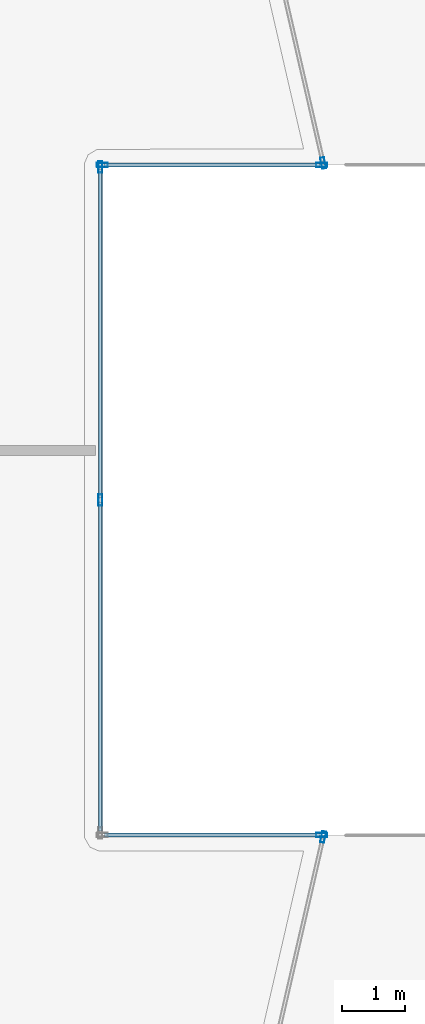
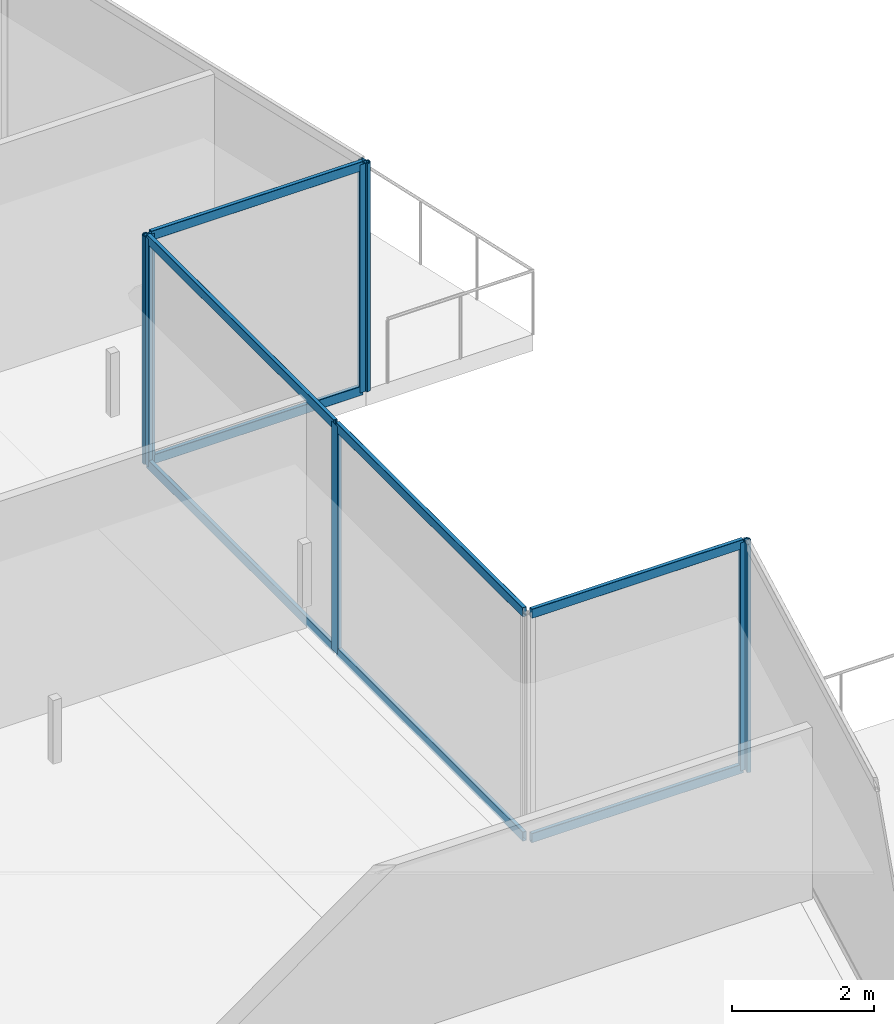
# One storey, part 24 of 44: 15 members, 5 elements without a shape of their own.
"""IFC4 building model written with IfcOpenShell, lengths in metres."""

from ifc_helpers import new_model, si_unit, direction, frame, origin, origin_2d, place, context, subcontext, project, spatial, hollow_rectangle, extrude, material, layer, layer_set, material_profile, profile_set, type_object, element, aggregate, save


model = new_model("IFC4")

# Units and contexts
model_context = context("Model", 3, precision=1e-05, world=origin(), true_north=direction((0.0, 1.0)))
body_context = subcontext(model_context, "Body", "Model", "MODEL_VIEW")
ifc_project = project(units=[si_unit("LENGTHUNIT", "METRE"), si_unit("AREAUNIT", "SQUARE_METRE"), si_unit("VOLUMEUNIT", "CUBIC_METRE"), si_unit("PLANEANGLEUNIT", "RADIAN"), si_unit("MASSUNIT", "GRAM", prefix="KILO")], contexts=[model_context])

# Site, building, storey
site_placement = place(None, origin())
site = spatial("IfcSite", under=ifc_project, at=site_placement, CompositionType="ELEMENT")
building_placement = place(site_placement, origin())
building = spatial("IfcBuilding", under=site, at=building_placement, Name="Qorvath Tower", CompositionType="ELEMENT")
storey_placement = place(building_placement, frame((0.0, 0.0, 40.800048828125)))
storey = spatial("IfcBuildingStorey", under=building, at=storey_placement, Name="L08", CompositionType="ELEMENT", Elevation=40.800048828125)

# Curtain wall, member
ifc_material_1 = material(Name="Anodised aluminium and triple low-E glass", Category="aluminium")
ifc_layer = layer(ifc_material_1, 0.179931640625)
ifc_layer_set = layer_set([ifc_layer], Name="CW-SYS-2")
curtain_wall_type = type_object("IfcCurtainWallType", Name="CW-SYS-2", PredefinedType="NOTDEFINED", material=ifc_layer_set)
curtain_wall_1_placement = place(storey_placement, origin())
curtain_wall_1 = element("IfcCurtainWall", 1, at=curtain_wall_1_placement, inside=storey, type_object=curtain_wall_type, Name="Curtain Wall CW-2 CW-T-L08-7.1", PredefinedType="NOTDEFINED")
ifc_material_2 = material(Name="Anodised aluminium 6063-T6", Category="aluminium")
ifc_material_profile_1 = material_profile(ifc_material_2, hollow_rectangle(XDim=0.06494140625, YDim=0.179931640625, WallThickness=0.00341796875, InnerFilletRadius=0.00341796875, OuterFilletRadius=0.007080078125, at=origin_2d()), Name="CWM 180x65")
ifc_profile_set_1 = profile_set([ifc_material_profile_1], Name="Anodised aluminium 6063-T6")
member_type_1 = type_object("IfcMemberType", Name="CWM-180", PredefinedType="MULLION", material=ifc_profile_set_1)
member_1_placement = place(storey_placement, frame((7.306884765625, -5.388427734375, 0.0), z_axis=(0.0, 0.0, 1.0), x_axis=(-0.974466004857, 0.224535087188, 0.0)))
member_1 = element("IfcMember", 2, at=member_1_placement, type_object=member_type_1, Name="CW-2 mullion 2", PredefinedType="MULLION", context=body_context, shape_type="SweptSolid", body=[
    extrude(hollow_rectangle(XDim=0.06494140625, YDim=0.179931640625, WallThickness=0.00341796875, InnerFilletRadius=0.00341796875, OuterFilletRadius=0.007080078125, at=origin_2d()), origin(), (0.0, 0.0, 1.0), 3.919921875),
])
aggregate(curtain_wall_1, [member_1])

curtain_wall_2_placement = place(storey_placement, origin())
curtain_wall_2 = element("IfcCurtainWall", 3, at=curtain_wall_2_placement, inside=storey, type_object=curtain_wall_type, Name="Curtain Wall CW-2 CW-T-L08-8.1", PredefinedType="NOTDEFINED")
member_2_placement = place(storey_placement, frame((7.28173828125, -5.356689453125, 0.0), z_axis=(0.0, 0.0, 1.0), x_axis=(0.0, -1.0, 0.0)))
member_2 = element("IfcMember", 4, at=member_2_placement, type_object=member_type_1, Name="CW-2 mullion 1", PredefinedType="MULLION", context=body_context, shape_type="SweptSolid", body=[
    extrude(hollow_rectangle(XDim=0.06494140625, YDim=0.179931640625, WallThickness=0.00341796875, InnerFilletRadius=0.00341796875, OuterFilletRadius=0.007080078125, at=origin_2d()), origin(), (0.0, 0.0, 1.0), 3.919921875),
])

# Curtain wall, members
curtain_wall_3_placement = place(storey_placement, origin())
curtain_wall_3 = element("IfcCurtainWall", 5, at=curtain_wall_3_placement, inside=storey, type_object=curtain_wall_type, Name="Curtain Wall CW-2 CW-T-L08-9.1", PredefinedType="NOTDEFINED")
member_3_placement = place(storey_placement, frame((3.742919921875, 0.0, 0.0), z_axis=(0.0, 0.0, 1.0), x_axis=(-1.0, 0.0, 0.0)))
member_3 = element("IfcMember", 6, at=member_3_placement, type_object=member_type_1, Name="CW-2 mullion 2", PredefinedType="MULLION", context=body_context, shape_type="SweptSolid", body=[
    extrude(hollow_rectangle(XDim=0.06494140625, YDim=0.179931640625, WallThickness=0.00341796875, InnerFilletRadius=0.00341796875, OuterFilletRadius=0.007080078125, at=origin_2d()), origin(), (0.0, 0.0, 1.0), 3.919921875),
])
member_4_placement = place(storey_placement, frame((3.742919921875, 5.32421875, 0.0), z_axis=(0.0, 0.0, 1.0), x_axis=(-1.0, 0.0, 0.0)))
member_4 = element("IfcMember", 7, at=member_4_placement, type_object=member_type_1, Name="CW-2 mullion 3", PredefinedType="MULLION", context=body_context, shape_type="SweptSolid", body=[
    extrude(hollow_rectangle(XDim=0.06494140625, YDim=0.179931640625, WallThickness=0.00341796875, InnerFilletRadius=0.00341796875, OuterFilletRadius=0.007080078125, at=origin_2d()), origin(), (0.0, 0.0, 1.0), 3.919921875),
])

curtain_wall_4_placement = place(storey_placement, origin())
curtain_wall_4 = element("IfcCurtainWall", 8, at=curtain_wall_4_placement, inside=storey, type_object=curtain_wall_type, Name="Curtain Wall CW-2 CW-T-L08-10.1", PredefinedType="NOTDEFINED")
member_5_placement = place(storey_placement, frame((3.775390625, 5.356689453125, 0.0), z_axis=(0.0, 0.0, 1.0), x_axis=(0.0, 1.0, 0.0)))
member_5 = element("IfcMember", 9, at=member_5_placement, type_object=member_type_1, Name="CW-2 mullion 1", PredefinedType="MULLION", context=body_context, shape_type="SweptSolid", body=[
    extrude(hollow_rectangle(XDim=0.06494140625, YDim=0.179931640625, WallThickness=0.00341796875, InnerFilletRadius=0.00341796875, OuterFilletRadius=0.007080078125, at=origin_2d()), origin(), (0.0, 0.0, 1.0), 3.919921875),
])
member_6_placement = place(storey_placement, frame((7.28173828125, 5.356689453125, 0.0), z_axis=(0.0, 0.0, 1.0), x_axis=(0.0, 1.0, 0.0)))
member_6 = element("IfcMember", 10, at=member_6_placement, type_object=member_type_1, Name="CW-2 mullion 2", PredefinedType="MULLION", context=body_context, shape_type="SweptSolid", body=[
    extrude(hollow_rectangle(XDim=0.06494140625, YDim=0.179931640625, WallThickness=0.00341796875, InnerFilletRadius=0.00341796875, OuterFilletRadius=0.007080078125, at=origin_2d()), origin(), (0.0, 0.0, 1.0), 3.919921875),
])

# Curtain wall, member
curtain_wall_5_placement = place(storey_placement, origin())
curtain_wall_5 = element("IfcCurtainWall", 11, at=curtain_wall_5_placement, inside=storey, type_object=curtain_wall_type, Name="Curtain Wall CW-2 CW-T-L08-11.1", PredefinedType="NOTDEFINED")
member_7_placement = place(storey_placement, frame((7.306884765625, 5.388427734375, 0.0), z_axis=(0.0, 0.0, 1.0), x_axis=(-0.974466004857, -0.224535087188, 0.0)))
member_7 = element("IfcMember", 12, at=member_7_placement, type_object=member_type_1, Name="CW-2 mullion 1", PredefinedType="MULLION", context=body_context, shape_type="SweptSolid", body=[
    extrude(hollow_rectangle(XDim=0.06494140625, YDim=0.179931640625, WallThickness=0.00341796875, InnerFilletRadius=0.00341796875, OuterFilletRadius=0.007080078125, at=origin_2d()), origin(), (0.0, 0.0, 1.0), 3.919921875),
])
aggregate(curtain_wall_5, [member_7])

# Member
ifc_material_3 = material(Name="Anodised aluminium 6063-T6", Category="aluminium")
ifc_material_profile_2 = material_profile(ifc_material_3, hollow_rectangle(XDim=0.06494140625, YDim=0.159912109375, WallThickness=0.00341796875, InnerFilletRadius=0.00341796875, OuterFilletRadius=0.007080078125, at=origin_2d()), Name="CWT 160x65")
ifc_profile_set_2 = profile_set([ifc_material_profile_2], Name="Anodised aluminium 6063-T6")
member_type_2 = type_object("IfcMemberType", Name="CWT-160", PredefinedType="USERDEFINED", material=ifc_profile_set_2)
member_8_placement = place(storey_placement, frame((7.249267578125, -5.356689453125, 0.032470703125), z_axis=(-1.0, 0.0, 0.0), x_axis=(0.0, -1.0, 0.0)))
member_8 = element("IfcMember", 13, at=member_8_placement, type_object=member_type_2, Name="CW-2 transom 1.1", ObjectType="TRANSOM", PredefinedType="USERDEFINED", context=body_context, shape_type="SweptSolid", body=[
    extrude(hollow_rectangle(XDim=0.06494140625, YDim=0.159912109375, WallThickness=0.00341796875, InnerFilletRadius=0.00341796875, OuterFilletRadius=0.007080078125, at=origin_2d()), origin(), (0.0, 0.0, 1.0), 3.44140625),
])

member_9_placement = place(storey_placement, frame((7.249267578125, -5.356689453125, 3.887451171875), z_axis=(-1.0, 0.0, 0.0), x_axis=(0.0, -1.0, 0.0)))
member_9 = element("IfcMember", 14, at=member_9_placement, type_object=member_type_2, Name="CW-2 transom 1.2", ObjectType="TRANSOM", PredefinedType="USERDEFINED", context=body_context, shape_type="SweptSolid", body=[
    extrude(hollow_rectangle(XDim=0.06494140625, YDim=0.159912109375, WallThickness=0.00341796875, InnerFilletRadius=0.00341796875, OuterFilletRadius=0.007080078125, at=origin_2d()), origin(), (0.0, 0.0, 1.0), 3.44140625),
])

aggregate(curtain_wall_2, [member_2, member_8, member_9])

member_10_placement = place(storey_placement, frame((3.742919921875, -5.291748046875, 0.032470703125), z_axis=(0.0, 1.0, 0.0), x_axis=(-1.0, 0.0, 0.0)))
member_10 = element("IfcMember", 15, at=member_10_placement, type_object=member_type_2, Name="CW-2 transom 1.1", ObjectType="TRANSOM", PredefinedType="USERDEFINED", context=body_context, shape_type="SweptSolid", body=[
    extrude(hollow_rectangle(XDim=0.06494140625, YDim=0.159912109375, WallThickness=0.00341796875, InnerFilletRadius=0.00341796875, OuterFilletRadius=0.007080078125, at=origin_2d()), origin(), (0.0, 0.0, 1.0), 5.25927734375),
])

member_11_placement = place(storey_placement, frame((3.742919921875, -5.291748046875, 3.887451171875), z_axis=(0.0, 1.0, 0.0), x_axis=(-1.0, 0.0, 0.0)))
member_11 = element("IfcMember", 16, at=member_11_placement, type_object=member_type_2, Name="CW-2 transom 1.2", ObjectType="TRANSOM", PredefinedType="USERDEFINED", context=body_context, shape_type="SweptSolid", body=[
    extrude(hollow_rectangle(XDim=0.06494140625, YDim=0.159912109375, WallThickness=0.00341796875, InnerFilletRadius=0.00341796875, OuterFilletRadius=0.007080078125, at=origin_2d()), origin(), (0.0, 0.0, 1.0), 5.25927734375),
])

member_12_placement = place(storey_placement, frame((3.742919921875, 0.032470703125, 0.032470703125), z_axis=(0.0, 1.0, 0.0), x_axis=(-1.0, 0.0, 0.0)))
member_12 = element("IfcMember", 17, at=member_12_placement, type_object=member_type_2, Name="CW-2 transom 2.1", ObjectType="TRANSOM", PredefinedType="USERDEFINED", context=body_context, shape_type="SweptSolid", body=[
    extrude(hollow_rectangle(XDim=0.06494140625, YDim=0.159912109375, WallThickness=0.00341796875, InnerFilletRadius=0.00341796875, OuterFilletRadius=0.007080078125, at=origin_2d()), origin(), (0.0, 0.0, 1.0), 5.25927734375),
])

member_13_placement = place(storey_placement, frame((3.742919921875, 0.032470703125, 3.887451171875), z_axis=(0.0, 1.0, 0.0), x_axis=(-1.0, 0.0, 0.0)))
member_13 = element("IfcMember", 18, at=member_13_placement, type_object=member_type_2, Name="CW-2 transom 2.2", ObjectType="TRANSOM", PredefinedType="USERDEFINED", context=body_context, shape_type="SweptSolid", body=[
    extrude(hollow_rectangle(XDim=0.06494140625, YDim=0.159912109375, WallThickness=0.00341796875, InnerFilletRadius=0.00341796875, OuterFilletRadius=0.007080078125, at=origin_2d()), origin(), (0.0, 0.0, 1.0), 5.25927734375),
])

aggregate(curtain_wall_3, [member_3, member_4, member_10, member_11, member_12, member_13])

member_14_placement = place(storey_placement, frame((3.807861328125, 5.356689453125, 0.032470703125), z_axis=(1.0, 0.0, 0.0), x_axis=(0.0, 1.0, 0.0)))
member_14 = element("IfcMember", 19, at=member_14_placement, type_object=member_type_2, Name="CW-2 transom 1.1", ObjectType="TRANSOM", PredefinedType="USERDEFINED", context=body_context, shape_type="SweptSolid", body=[
    extrude(hollow_rectangle(XDim=0.06494140625, YDim=0.159912109375, WallThickness=0.00341796875, InnerFilletRadius=0.00341796875, OuterFilletRadius=0.007080078125, at=origin_2d()), origin(), (0.0, 0.0, 1.0), 3.44140625),
])

member_15_placement = place(storey_placement, frame((3.807861328125, 5.356689453125, 3.887451171875), z_axis=(1.0, 0.0, 0.0), x_axis=(0.0, 1.0, 0.0)))
member_15 = element("IfcMember", 20, at=member_15_placement, type_object=member_type_2, Name="CW-2 transom 1.2", ObjectType="TRANSOM", PredefinedType="USERDEFINED", context=body_context, shape_type="SweptSolid", body=[
    extrude(hollow_rectangle(XDim=0.06494140625, YDim=0.159912109375, WallThickness=0.00341796875, InnerFilletRadius=0.00341796875, OuterFilletRadius=0.007080078125, at=origin_2d()), origin(), (0.0, 0.0, 1.0), 3.44140625),
])

aggregate(curtain_wall_4, [member_5, member_6, member_14, member_15])

save(model, "model.ifc")
